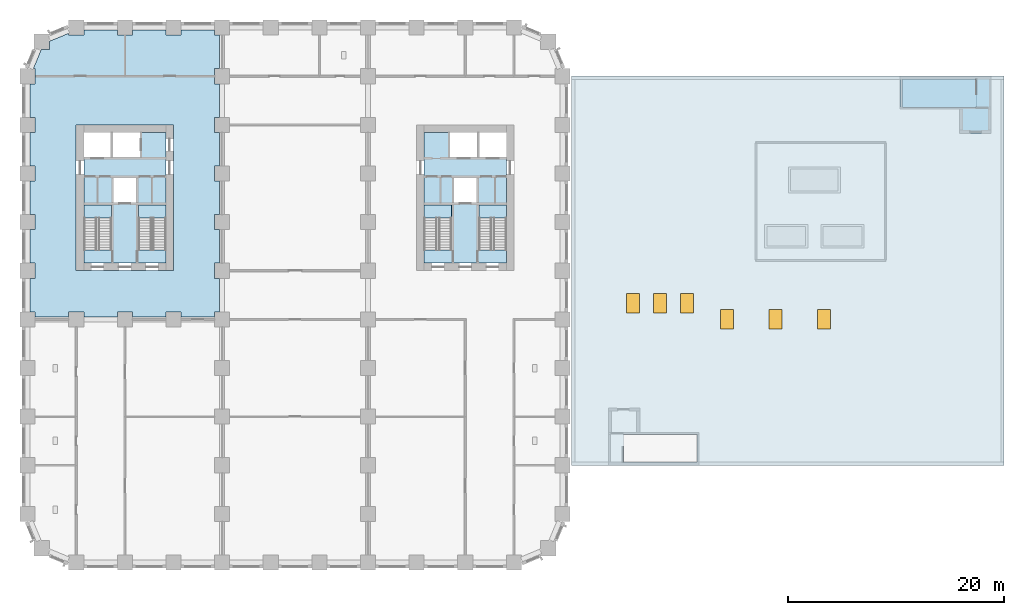
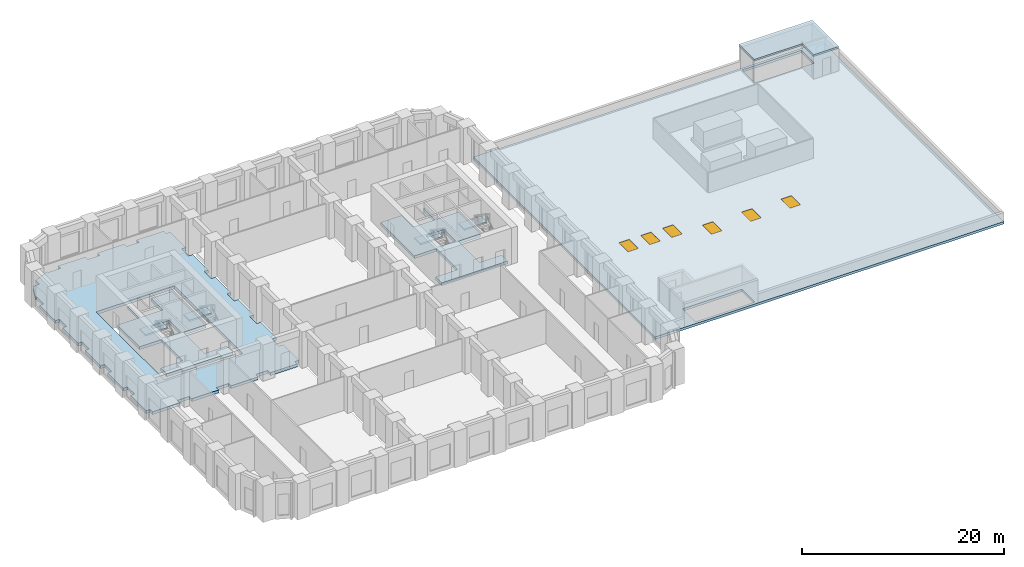
# One storey, part 2 of 14: 9 slabs, 6 windows, 6 openings, 4 elements without a shape of their own.
"""IFC4 building model written with IfcOpenShell, lengths in metres."""

from ifc_helpers import new_model, si_unit, direction, frame, origin, origin_2d, place, context, subcontext, project, spatial, polyline, rectangle, outline, extrude, material, layer, layer_set, type_object, element, fill, aggregate, save


model = new_model("IFC4")

# Units and contexts
model_context = context("Model", 3, precision=1e-05, world=origin(), true_north=direction((0.0, 1.0)))
body_context = subcontext(model_context, "Body", "Model", "MODEL_VIEW")
ifc_project = project(units=[si_unit("LENGTHUNIT", "METRE"), si_unit("AREAUNIT", "SQUARE_METRE"), si_unit("VOLUMEUNIT", "CUBIC_METRE"), si_unit("PLANEANGLEUNIT", "RADIAN"), si_unit("MASSUNIT", "GRAM", prefix="KILO")], contexts=[model_context])

# Site, building, storey
site_placement = place(None, origin())
site = spatial("IfcSite", under=ifc_project, at=site_placement, CompositionType="ELEMENT")
building_placement = place(site_placement, origin())
building = spatial("IfcBuilding", under=site, at=building_placement, Name="Girih Gate Residences", CompositionType="ELEMENT")
storey_placement = place(building_placement, frame((0.0, 0.0, 26.0)))
storey = spatial("IfcBuildingStorey", under=building, at=storey_placement, Name="L05", CompositionType="ELEMENT", Elevation=26.0)

# Slabs
ifc_material_1 = material(Name="Concrete C40/50", Category="concrete")
ifc_layer_1 = layer(ifc_material_1, 0.35009765625)
ifc_layer_set_1 = layer_set([ifc_layer_1], Name="Core floor slab 350")
slab_type_1 = type_object("IfcSlabType", Name="Core floor slab 350", PredefinedType="FLOOR", material=ifc_layer_set_1)
slab_1_placement = place(storey_placement, frame((0.0, 0.0, -0.35009765625)))
element("IfcSlab", 1, at=slab_1_placement, inside=storey, type_object=slab_type_1, Name="L05 W core floor", PredefinedType="FLOOR", context=body_context, shape_type="SweptSolid", body=[
    extrude(outline(polyline([(12.800048828125, 27.699951171875), (5.199951171875, 27.699951171875), (5.199951171875, 28.900634765625), (7.75, 28.900634765625), (7.75, 33.10009765625), (5.199951171875, 33.10009765625), (5.199951171875, 37.5), (7.699951171875, 37.5), (7.699951171875, 39.800048828125), (7.89990234375, 39.800048828125), (7.89990234375, 37.5), (10.39990234375, 37.5), (10.39990234375, 39.800048828125), (12.800048828125, 39.800048828125), (12.800048828125, 33.10009765625), (10.25, 33.10009765625), (10.25, 28.900634765625), (12.800048828125, 28.900634765625), (12.800048828125, 27.699951171875)]), holes=[polyline([(7.949951171875, 33.300048828125), (10.050048828125, 33.300048828125), (10.050048828125, 35.60009765625), (7.949951171875, 35.60009765625), (7.949951171875, 33.300048828125)])]), origin(), (0.0, 0.0, 1.0), 0.35009765625),
])
slab_2_placement = place(storey_placement, frame((0.0, 0.0, -0.35009765625)))
element("IfcSlab", 2, at=slab_2_placement, inside=storey, type_object=slab_type_1, Name="L05 E core floor", PredefinedType="FLOOR", context=body_context, shape_type="SweptSolid", body=[
    extrude(outline(polyline([(44.300048828125, 27.699951171875), (36.699951171875, 27.699951171875), (36.699951171875, 28.900634765625), (39.25, 28.900634765625), (39.25, 33.10009765625), (36.699951171875, 33.10009765625), (36.699951171875, 39.800048828125), (39.10009765625, 39.800048828125), (39.10009765625, 37.5), (41.60009765625, 37.5), (41.60009765625, 39.800048828125), (41.800048828125, 39.800048828125), (41.800048828125, 37.5), (44.300048828125, 37.5), (44.300048828125, 33.10009765625), (41.75, 33.10009765625), (41.75, 28.900634765625), (44.300048828125, 28.900634765625), (44.300048828125, 27.699951171875)]), holes=[polyline([(39.449951171875, 33.300048828125), (41.550048828125, 33.300048828125), (41.550048828125, 35.60009765625), (39.449951171875, 35.60009765625), (39.449951171875, 33.300048828125)])]), origin(), (0.0, 0.0, 1.0), 0.35009765625),
])
ifc_layer_2 = layer(ifc_material_1, 0.35009765625)
ifc_layer_set_2 = layer_set([ifc_layer_2], Name="Floor slab PT 350 Concrete C40/50")
slab_type_2 = type_object("IfcSlabType", Name="Floor slab PT 350 Concrete C40/50", PredefinedType="FLOOR", material=ifc_layer_set_2)
slab_3_placement = place(storey_placement, frame((0.0, 0.0, -0.35009765625)))
element("IfcSlab", 3, at=slab_3_placement, inside=storey, type_object=slab_type_2, Name="Floor slab L05 3", PredefinedType="FLOOR", context=body_context, shape_type="SweptSolid", body=[
    extrude(outline(polyline([(0.22509765625, 26.300048828125), (0.22509765625, 23.199951171875), (0.699951171875, 23.199951171875), (0.699951171875, 22.72509765625), (3.800048828125, 22.72509765625), (3.800048828125, 23.199951171875), (5.199951171875, 23.199951171875), (5.199951171875, 22.72509765625), (8.300048828125, 22.72509765625), (8.300048828125, 23.199951171875), (9.699951171875, 23.199951171875), (9.699951171875, 22.72509765625), (12.800048828125, 22.72509765625), (12.800048828125, 23.199951171875), (14.199951171875, 23.199951171875), (14.199951171875, 22.72509765625), (17.300048828125, 22.72509765625), (17.300048828125, 23.199951171875), (17.77490234375, 23.199951171875), (17.77490234375, 26.300048828125), (17.300048828125, 26.300048828125), (17.300048828125, 27.699951171875), (17.77490234375, 27.699951171875), (17.77490234375, 30.800048828125), (17.300048828125, 30.800048828125), (17.300048828125, 32.199951171875), (17.77490234375, 32.199951171875), (17.77490234375, 35.300048828125), (17.300048828125, 35.300048828125), (17.300048828125, 36.699951171875), (17.77490234375, 36.699951171875), (17.77490234375, 39.800048828125), (17.300048828125, 39.800048828125), (17.300048828125, 41.199951171875), (17.77490234375, 41.199951171875), (17.77490234375, 44.300048828125), (17.300048828125, 44.300048828125), (17.300048828125, 45.699951171875), (17.77490234375, 45.699951171875), (17.77490234375, 48.800048828125), (17.300048828125, 48.800048828125), (17.300048828125, 49.27490234375), (14.199951171875, 49.27490234375), (14.199951171875, 48.800048828125), (12.800048828125, 48.800048828125), (12.800048828125, 49.27490234375), (9.699951171875, 49.27490234375), (9.699951171875, 48.800048828125), (8.300048828125, 48.800048828125), (8.300048828125, 49.27490234375), (5.199951171875, 49.27490234375), (5.199951171875, 48.800048828125), (3.800048828125, 48.800048828125), (3.800048828125, 48.966552734375), (2.01806640625, 48.228271484375), (2.01806640625, 47.48193359375), (1.271728515625, 47.48193359375), (0.533447265625, 45.699951171875), (0.699951171875, 45.699951171875), (0.699951171875, 44.300048828125), (0.22509765625, 44.300048828125), (0.22509765625, 41.199951171875), (0.699951171875, 41.199951171875), (0.699951171875, 39.800048828125), (0.22509765625, 39.800048828125), (0.22509765625, 36.699951171875), (0.699951171875, 36.699951171875), (0.699951171875, 35.300048828125), (0.22509765625, 35.300048828125), (0.22509765625, 32.199951171875), (0.699951171875, 32.199951171875), (0.699951171875, 30.800048828125), (0.22509765625, 30.800048828125), (0.22509765625, 27.699951171875), (0.699951171875, 27.699951171875), (0.699951171875, 26.300048828125), (0.22509765625, 26.300048828125)]), holes=[polyline([(13.5, 40.5), (13.5, 27.0), (4.5, 27.0), (4.5, 40.5), (13.5, 40.5)])]), origin(), (0.0, 0.0, 1.0), 0.35009765625),
])
ifc_layer_3 = layer(ifc_material_1, 0.199951171875)
ifc_layer_set_3 = layer_set([ifc_layer_3], Name="HC Head-house roof slab 200 C40/50")
slab_type_3 = type_object("IfcSlabType", Name="HC Head-house roof slab 200 C40/50", PredefinedType="ROOF", material=ifc_layer_set_3)
slab_4_placement = place(storey_placement, frame((0.0, 0.0, 2.800048828125)))
element("IfcSlab", 4, at=slab_4_placement, inside=storey, type_object=slab_type_3, Name="Stair B head-house roof", PredefinedType="ROOF", context=body_context, shape_type="SweptSolid", body=[
    extrude(outline(polyline([(80.75, 45.0), (80.75, 41.949951171875), (86.25, 41.949951171875), (86.25, 39.699951171875), (89.14990234375, 39.699951171875), (89.14990234375, 41.949951171875), (89.14990234375, 41.949951171875), (89.14990234375, 45.0), (80.75, 45.0)])), origin(), (0.0, 0.0, 1.0), 0.199951171875),
])

# Slab, openings, windows
ifc_layer_4 = layer(ifc_material_1, 0.300048828125)
ifc_layer_set_4 = layer_set([ifc_layer_4], Name="HC Roof slab 300 C40/50")
slab_type_4 = type_object("IfcSlabType", Name="HC Roof slab 300 C40/50", PredefinedType="ROOF", material=ifc_layer_set_4)
slab_5_placement = place(storey_placement, frame((0.0, 0.0, -0.300048828125)))
slab_5 = element("IfcSlab", 5, at=slab_5_placement, inside=storey, type_object=slab_type_4, Name="Health centre roof slab", PredefinedType="ROOF", context=body_context, shape_type="SweptSolid", body=[
    extrude(outline(polyline([(50.35009765625, 9.0), (90.35009765625, 9.0), (90.35009765625, 45.0), (50.35009765625, 45.0), (50.35009765625, 9.0)]), holes=[polyline([(55.150390625, 9.300048828125), (61.949951171875, 9.300048828125), (61.949951171875, 11.85009765625), (55.150390625, 11.85009765625), (55.150390625, 9.300048828125)]), polyline([(87.74951171875, 44.699951171875), (80.949951171875, 44.699951171875), (80.949951171875, 42.14990234375), (87.74951171875, 42.14990234375), (87.74951171875, 44.699951171875)])]), origin(), (0.0, 0.0, 1.0), 0.300048828125),
])
opening_1_placement = place(slab_5_placement, frame((56.0, 24.0, 0.0)))
opening_1 = element("IfcOpeningElement", 6, at=opening_1_placement, cuts=slab_5, Name="Opening HC-RL-01", PredefinedType="OPENING", context=body_context, shape_type="SweptSolid", body=[
    extrude(rectangle(XDim=1.199951171875, YDim=1.800048828125, at=origin_2d()), frame((0.0, 0.0, -0.010009765625)), (0.0, 0.0, 1.0), 0.320068359375),
])
opening_2_placement = place(slab_5_placement, frame((58.5, 24.0, 0.0)))
opening_2 = element("IfcOpeningElement", 7, at=opening_2_placement, cuts=slab_5, Name="Opening HC-RL-02", PredefinedType="OPENING", context=body_context, shape_type="SweptSolid", body=[
    extrude(rectangle(XDim=1.199951171875, YDim=1.800048828125, at=origin_2d()), frame((0.0, 0.0, -0.010009765625)), (0.0, 0.0, 1.0), 0.320068359375),
])
opening_3_placement = place(slab_5_placement, frame((61.0, 24.0, 0.0)))
opening_3 = element("IfcOpeningElement", 8, at=opening_3_placement, cuts=slab_5, Name="Opening HC-RL-03", PredefinedType="OPENING", context=body_context, shape_type="SweptSolid", body=[
    extrude(rectangle(XDim=1.199951171875, YDim=1.800048828125, at=origin_2d()), frame((0.0, 0.0, -0.010009765625)), (0.0, 0.0, 1.0), 0.320068359375),
])
opening_4_placement = place(slab_5_placement, frame((64.699951171875, 22.5, 0.0)))
opening_4 = element("IfcOpeningElement", 9, at=opening_4_placement, cuts=slab_5, Name="Opening HC-RL-04", PredefinedType="OPENING", context=body_context, shape_type="SweptSolid", body=[
    extrude(rectangle(XDim=1.199951171875, YDim=1.800048828125, at=origin_2d()), frame((0.0, 0.0, -0.010009765625)), (0.0, 0.0, 1.0), 0.320068359375),
])
opening_5_placement = place(slab_5_placement, frame((69.199951171875, 22.5, 0.0)))
opening_5 = element("IfcOpeningElement", 10, at=opening_5_placement, cuts=slab_5, Name="Opening HC-RL-05", PredefinedType="OPENING", context=body_context, shape_type="SweptSolid", body=[
    extrude(rectangle(XDim=1.199951171875, YDim=1.800048828125, at=origin_2d()), frame((0.0, 0.0, -0.010009765625)), (0.0, 0.0, 1.0), 0.320068359375),
])
opening_6_placement = place(slab_5_placement, frame((73.699951171875, 22.5, 0.0)))
opening_6 = element("IfcOpeningElement", 11, at=opening_6_placement, cuts=slab_5, Name="Opening HC-RL-06", PredefinedType="OPENING", context=body_context, shape_type="SweptSolid", body=[
    extrude(rectangle(XDim=1.199951171875, YDim=1.800048828125, at=origin_2d()), frame((0.0, 0.0, -0.010009765625)), (0.0, 0.0, 1.0), 0.320068359375),
])
ifc_material_2 = material(Name="Aluminium framed glazing", Category="aluminium")
window_type = type_object("IfcWindowType", Name="HC Rooflight 1200x1800", PartitioningType="SINGLE_PANEL", PredefinedType="SKYLIGHT", material=ifc_material_2)
window_1_placement = place(opening_1_placement, frame((0.0, 0.0, 0.25)))
window_1 = element("IfcWindow", 12, at=window_1_placement, inside=storey, type_object=window_type, Name="Rooflight 1", OverallHeight=1.800048828125, OverallWidth=1.199951171875, PartitioningType="SINGLE_PANEL", PredefinedType="SKYLIGHT", context=body_context, shape_type="SweptSolid", body=[
    extrude(rectangle(XDim=1.199951171875, YDim=1.800048828125, at=origin_2d()), origin(), (0.0, 0.0, 1.0), 0.050048828125),
])
fill(opening_1, window_1)
window_2_placement = place(opening_2_placement, frame((0.0, 0.0, 0.25)))
window_2 = element("IfcWindow", 13, at=window_2_placement, inside=storey, type_object=window_type, Name="Rooflight 2", OverallHeight=1.800048828125, OverallWidth=1.199951171875, PartitioningType="SINGLE_PANEL", PredefinedType="SKYLIGHT", context=body_context, shape_type="SweptSolid", body=[
    extrude(rectangle(XDim=1.199951171875, YDim=1.800048828125, at=origin_2d()), origin(), (0.0, 0.0, 1.0), 0.050048828125),
])
fill(opening_2, window_2)
window_3_placement = place(opening_3_placement, frame((0.0, 0.0, 0.25)))
window_3 = element("IfcWindow", 14, at=window_3_placement, inside=storey, type_object=window_type, Name="Rooflight 3", OverallHeight=1.800048828125, OverallWidth=1.199951171875, PartitioningType="SINGLE_PANEL", PredefinedType="SKYLIGHT", context=body_context, shape_type="SweptSolid", body=[
    extrude(rectangle(XDim=1.199951171875, YDim=1.800048828125, at=origin_2d()), origin(), (0.0, 0.0, 1.0), 0.050048828125),
])
fill(opening_3, window_3)
window_4_placement = place(opening_4_placement, frame((0.0, 0.0, 0.25)))
window_4 = element("IfcWindow", 15, at=window_4_placement, inside=storey, type_object=window_type, Name="Rooflight 4", OverallHeight=1.800048828125, OverallWidth=1.199951171875, PartitioningType="SINGLE_PANEL", PredefinedType="SKYLIGHT", context=body_context, shape_type="SweptSolid", body=[
    extrude(rectangle(XDim=1.199951171875, YDim=1.800048828125, at=origin_2d()), origin(), (0.0, 0.0, 1.0), 0.050048828125),
])
fill(opening_4, window_4)
window_5_placement = place(opening_5_placement, frame((0.0, 0.0, 0.25)))
window_5 = element("IfcWindow", 16, at=window_5_placement, inside=storey, type_object=window_type, Name="Rooflight 5", OverallHeight=1.800048828125, OverallWidth=1.199951171875, PartitioningType="SINGLE_PANEL", PredefinedType="SKYLIGHT", context=body_context, shape_type="SweptSolid", body=[
    extrude(rectangle(XDim=1.199951171875, YDim=1.800048828125, at=origin_2d()), origin(), (0.0, 0.0, 1.0), 0.050048828125),
])
fill(opening_5, window_5)
window_6_placement = place(opening_6_placement, frame((0.0, 0.0, 0.25)))
window_6 = element("IfcWindow", 17, at=window_6_placement, inside=storey, type_object=window_type, Name="Rooflight 6", OverallHeight=1.800048828125, OverallWidth=1.199951171875, PartitioningType="SINGLE_PANEL", PredefinedType="SKYLIGHT", context=body_context, shape_type="SweptSolid", body=[
    extrude(rectangle(XDim=1.199951171875, YDim=1.800048828125, at=origin_2d()), origin(), (0.0, 0.0, 1.0), 0.050048828125),
])
fill(opening_6, window_6)

# Stair, slab
stair_type = type_object("IfcStairType", Name="Exit stair", PredefinedType="HALF_TURN_STAIR", material=ifc_material_1)
stair_1_placement = place(storey_placement, origin())
stair_1 = element("IfcStair", 18, at=stair_1_placement, inside=storey, type_object=stair_type, Name="L05 Exit Stair ST-W1", PredefinedType="HALF_TURN_STAIR")
ifc_layer_5 = layer(ifc_material_1, 0.199951171875)
ifc_layer_set_5 = layer_set([ifc_layer_5], Name="Stair landing 200")
slab_type_5 = type_object("IfcSlabType", Name="Stair landing 200", PredefinedType="LANDING", material=ifc_layer_set_5)
slab_6_placement = place(storey_placement, frame((0.0, 0.0, 2.0)))
slab_6 = element("IfcSlab", 19, at=slab_6_placement, type_object=slab_type_5, Name="ST-W1 landing 1", PredefinedType="LANDING", context=body_context, shape_type="SweptSolid", body=[
    extrude(outline(polyline([(7.75, 31.89990234375), (7.75, 33.10009765625), (5.199951171875, 33.10009765625), (5.199951171875, 31.89990234375), (7.75, 31.89990234375)])), origin(), (0.0, 0.0, 1.0), 0.199951171875),
])
aggregate(stair_1, [slab_6])

stair_2_placement = place(storey_placement, origin())
stair_2 = element("IfcStair", 20, at=stair_2_placement, inside=storey, type_object=stair_type, Name="L05 Exit Stair ST-W2", PredefinedType="HALF_TURN_STAIR")
slab_7_placement = place(storey_placement, frame((0.0, 0.0, 2.0)))
slab_7 = element("IfcSlab", 21, at=slab_7_placement, type_object=slab_type_5, Name="ST-W2 landing 1", PredefinedType="LANDING", context=body_context, shape_type="SweptSolid", body=[
    extrude(outline(polyline([(12.800048828125, 31.89990234375), (12.800048828125, 33.10009765625), (10.25, 33.10009765625), (10.25, 31.89990234375), (12.800048828125, 31.89990234375)])), origin(), (0.0, 0.0, 1.0), 0.199951171875),
])
aggregate(stair_2, [slab_7])

stair_3_placement = place(storey_placement, origin())
stair_3 = element("IfcStair", 22, at=stair_3_placement, inside=storey, type_object=stair_type, Name="L05 Exit Stair ST-E1", PredefinedType="HALF_TURN_STAIR")
slab_8_placement = place(storey_placement, frame((0.0, 0.0, 2.0)))
slab_8 = element("IfcSlab", 23, at=slab_8_placement, type_object=slab_type_5, Name="ST-E1 landing 1", PredefinedType="LANDING", context=body_context, shape_type="SweptSolid", body=[
    extrude(outline(polyline([(44.300048828125, 31.89990234375), (44.300048828125, 33.10009765625), (41.75, 33.10009765625), (41.75, 31.89990234375), (44.300048828125, 31.89990234375)])), origin(), (0.0, 0.0, 1.0), 0.199951171875),
])
aggregate(stair_3, [slab_8])

stair_4_placement = place(storey_placement, origin())
stair_4 = element("IfcStair", 24, at=stair_4_placement, inside=storey, type_object=stair_type, Name="L05 Exit Stair ST-E2", PredefinedType="HALF_TURN_STAIR")
slab_9_placement = place(storey_placement, frame((0.0, 0.0, 2.0)))
slab_9 = element("IfcSlab", 25, at=slab_9_placement, type_object=slab_type_5, Name="ST-E2 landing 1", PredefinedType="LANDING", context=body_context, shape_type="SweptSolid", body=[
    extrude(outline(polyline([(39.25, 31.89990234375), (39.25, 33.10009765625), (36.699951171875, 33.10009765625), (36.699951171875, 31.89990234375), (39.25, 31.89990234375)])), origin(), (0.0, 0.0, 1.0), 0.199951171875),
])
aggregate(stair_4, [slab_9])

save(model, "model.ifc")
